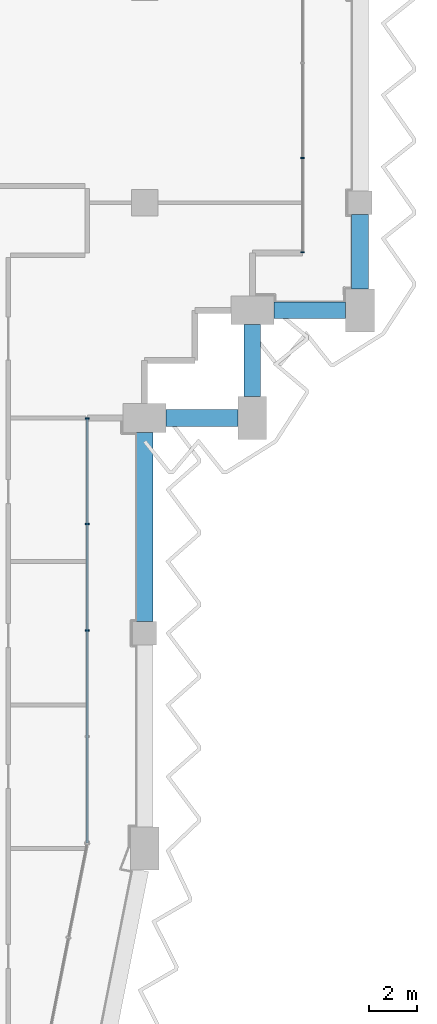
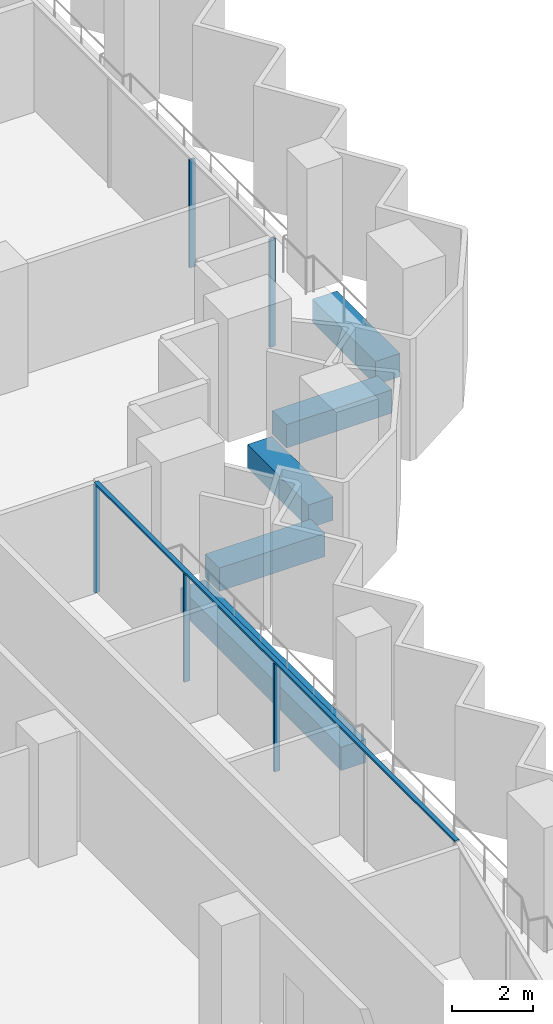
# One storey, part 4 of 17: 6 members, 5 beams, 2 elements without a shape of their own.
"""IFC4 building model written with IfcOpenShell, lengths in metres."""

import ifcopenshell
import ifcopenshell.guid

model = None  # the IFC model being written
_history = None  # IfcOwnerHistory: only IFC2X3 demands one
_inside = {}  # id of a spatial element -> (the spatial element, [elements in it])
_under = {}  # id of a project, library or spatial element -> (it, [spatial elements below it])
_declared = {}  # id of a project -> (the project, [libraries it declares])
_typed = {}  # id of a type object -> (the type object, [elements of that type])
_made_of = {}  # id of a material, layer set ... -> (it, [elements and type objects made of it])


def new_model(schema):
    """Start an empty IFC model of exactly this schema.

    Asked for "IFC4X3", IfcOpenShell would pick the latest addendum, in which some entities
    have other attributes; the version numbers below select the first issue.
    IFC2X3 requires an IfcOwnerHistory on every rooted entity: one is made here for all.
    """
    global model, _history
    if schema == "IFC4X3":
        model = ifcopenshell.file(schema_version=(4, 3, 0, 0))
    else:
        model = ifcopenshell.file(schema=schema)
    _inside.clear()
    _under.clear()
    _declared.clear()
    _typed.clear()
    _made_of.clear()
    _history = None
    if model.schema == "IFC2X3":
        org = make("IfcOrganization", Name="unknown")
        user = make(
            "IfcPersonAndOrganization",
            ThePerson=make("IfcPerson", FamilyName="unknown"),
            TheOrganization=org,
        )
        app = make(
            "IfcApplication",
            ApplicationDeveloper=org,
            Version="unknown",
            ApplicationFullName="unknown",
            ApplicationIdentifier="unknown",
        )
        _history = make(
            "IfcOwnerHistory",
            OwningUser=user,
            OwningApplication=app,
            ChangeAction="ADDED",
            CreationDate=0,
        )
    return model


def make(cls, **values):
    """One entity of the class cls with the attributes given. An attribute that is None is left unset."""
    return model.create_entity(
        cls, **{name: value for name, value in values.items() if value is not None}
    )


def rooted(cls, **values):
    """An entity with a GlobalId (a new one), such as an element, a storey or a relation."""
    return make(cls, GlobalId=ifcopenshell.guid.new(), OwnerHistory=_history, **values)


def si_unit(unit_type, name, prefix=None):
    """IfcSIUnit, for example si_unit("LENGTHUNIT", "METRE", prefix="MILLI")."""
    return make("IfcSIUnit", UnitType=unit_type, Prefix=prefix, Name=name)


def assignment(units):
    """IfcUnitAssignment: the units of a project."""
    return None if units is None else make("IfcUnitAssignment", Units=units)


def point(xyz):
    """IfcCartesianPoint."""
    return None if xyz is None else make("IfcCartesianPoint", Coordinates=xyz)


def direction(xyz):
    """IfcDirection."""
    return None if xyz is None else make("IfcDirection", DirectionRatios=xyz)


def frame(location, z_axis=None, x_axis=None):
    """IfcAxis2Placement3D, a coordinate frame: its origin and axes. An axis left out is left unset."""
    return make(
        "IfcAxis2Placement3D",
        Location=point(location),
        Axis=direction(z_axis),
        RefDirection=direction(x_axis),
    )


def frame_2d(location, x_axis=None):
    """IfcAxis2Placement2D, a coordinate frame in the plane: its origin and x axis."""
    return make(
        "IfcAxis2Placement2D", Location=point(location), RefDirection=direction(x_axis)
    )


def origin():
    """The frame at (0, 0, 0) with its axes left unset."""
    return frame((0.0, 0.0, 0.0))


def origin_2d():
    """The frame at (0, 0) in the plane with its x axis left unset."""
    return frame_2d((0.0, 0.0))


def place(relative_to, where):
    """IfcLocalPlacement: puts the frame where relative to a parent placement (None: the world)."""
    return make(
        "IfcLocalPlacement", PlacementRelTo=relative_to, RelativePlacement=where
    )


def context(
    kind, dimensions, precision=None, world=None, true_north=None, identifier=None
):
    """IfcGeometricRepresentationContext, for example the 3D "Model" context."""
    return make(
        "IfcGeometricRepresentationContext",
        ContextIdentifier=identifier,
        ContextType=kind,
        CoordinateSpaceDimension=dimensions,
        Precision=precision,
        WorldCoordinateSystem=world,
        TrueNorth=true_north,
    )


def subcontext(parent, identifier, kind, view, scale=None):
    """IfcGeometricRepresentationSubContext, for example "Body" below "Model"."""
    return make(
        "IfcGeometricRepresentationSubContext",
        ContextIdentifier=identifier,
        ContextType=kind,
        ParentContext=parent,
        TargetScale=scale,
        TargetView=view,
    )


def project(units=None, contexts=None):
    """IfcProject with its units and contexts."""
    return rooted(
        "IfcProject",
        Name="project",
        RepresentationContexts=contexts,
        UnitsInContext=assignment(units),
    )


def spatial(cls, under=None, at=None, **own):
    """A site, building, storey or space (cls), placed at a placement, below another one or the project."""
    s = rooted(cls, ObjectPlacement=at, **own)
    if under is not None:
        _under.setdefault(under.id(), (under, []))[1].append(s)
    return s


def profile(cls, at=None, kind="AREA", **sizes):
    """A parametric profile (cls). Its sizes go by their IFC names, for example OverallWidth=200.0."""
    return make(cls, ProfileType=kind, Position=at, **sizes)


def rectangle(**sizes):
    """IfcRectangleProfileDef."""
    return profile("IfcRectangleProfileDef", **sizes)


def extrude(swept, where, along, depth):
    """IfcExtrudedAreaSolid: the profile swept, set in the frame where, extruded along a direction by depth."""
    return make(
        "IfcExtrudedAreaSolid",
        SweptArea=swept,
        Position=where,
        ExtrudedDirection=direction(along),
        Depth=depth,
    )


def shape(context_of_items, identifier, shape_type, items):
    """IfcShapeRepresentation: the items that make up one representation, for example the "Body"."""
    return make(
        "IfcShapeRepresentation",
        ContextOfItems=context_of_items,
        RepresentationIdentifier=identifier,
        RepresentationType=shape_type,
        Items=items,
    )


def material(Name=None, Category=None):
    """IfcMaterial."""
    return make("IfcMaterial", Name=Name, Category=Category)


def material_profile(
    of_material, cross_section, Name=None, Category=None, Priority=None
):
    """IfcMaterialProfile: a cross section and its material."""
    return make(
        "IfcMaterialProfile",
        Name=Name,
        Material=of_material,
        Profile=cross_section,
        Priority=Priority,
        Category=Category,
    )


def profile_set(profiles, Name=None, composite=None):
    """IfcMaterialProfileSet."""
    return make(
        "IfcMaterialProfileSet",
        Name=Name,
        MaterialProfiles=profiles,
        CompositeProfile=composite,
    )


def made_of(thing, what):
    """Note that an element or type object is made of a material, layer set ...; save() writes the relation."""
    if what is not None:
        _made_of.setdefault(what.id(), (what, []))[1].append(thing)
    return thing


def type_object(cls, material=None, **own):
    """A type object (cls), such as IfcWallType, which elements share."""
    return made_of(rooted(cls, **own), material)


def element(
    cls,
    number,
    at=None,
    inside=None,
    cuts=None,
    type_object=None,
    material=None,
    context=None,
    identifier="Body",
    shape_type=None,
    held_by="IfcProductDefinitionShape",
    body=None,
    shapes=None,
    **own,
):
    """One element of the class cls, such as IfcWall. Its Tag is "e" and its number.

    at: its placement. inside: the storey or other place that contains it. cuts: it is an
    opening in that element (IfcRelVoidsElement). A single representation is given by context,
    identifier, shape_type and body (its items); several are given by shapes. held_by: the class
    of the entity that holds the representations. save() writes the other relations.
    """
    e = rooted(cls, Tag="e%d" % number, ObjectPlacement=at, **own)
    if body is not None:
        shapes = [shape(context, identifier, shape_type, body)]
    if shapes is not None:
        e.Representation = make(held_by, Representations=shapes)
    if inside is not None:
        _inside.setdefault(inside.id(), (inside, []))[1].append(e)
    if cuts is not None:
        rooted(
            "IfcRelVoidsElement", RelatingBuildingElement=cuts, RelatedOpeningElement=e
        )
    if type_object is not None:
        _typed.setdefault(type_object.id(), (type_object, []))[1].append(e)
    return made_of(e, material)


def aggregate(whole, parts):
    """IfcRelAggregates: a whole, such as a stair, and the parts it consists of."""
    return rooted("IfcRelAggregates", RelatingObject=whole, RelatedObjects=parts)


def save(model, path):
    """Write the relations noted so far, then the file.

    IfcRelAggregates (storeys below a building ...), IfcRelContainedInSpatialStructure (elements
    in a storey), IfcRelDefinesByType, IfcRelAssociatesMaterial and IfcRelDeclares: one each for
    every whole, place, type object, material and project.
    """
    for whole, parts in _under.values():
        aggregate(whole, parts)
    for where, things in _inside.values():
        rooted(
            "IfcRelContainedInSpatialStructure",
            RelatedElements=things,
            RelatingStructure=where,
        )
    for kind, things in _typed.values():
        rooted("IfcRelDefinesByType", RelatedObjects=things, RelatingType=kind)
    for what, things in _made_of.values():
        rooted("IfcRelAssociatesMaterial", RelatedObjects=things, RelatingMaterial=what)
    for by, libraries in _declared.values():
        rooted("IfcRelDeclares", RelatingContext=by, RelatedDefinitions=libraries)
    model.write(path)


model = new_model("IFC4")

# Units and contexts
model_context = context("Model", 3, precision=1e-05, world=origin(), true_north=direction((0.0, 1.0)))
body_context = subcontext(model_context, "Body", "Model", "MODEL_VIEW")
ifc_project = project(units=[si_unit("LENGTHUNIT", "METRE"), si_unit("AREAUNIT", "SQUARE_METRE"), si_unit("VOLUMEUNIT", "CUBIC_METRE"), si_unit("PLANEANGLEUNIT", "RADIAN"), si_unit("MASSUNIT", "GRAM", prefix="KILO")], contexts=[model_context])

# Site, building, storey
site_placement = place(None, origin())
site = spatial("IfcSite", under=ifc_project, at=site_placement, CompositionType="ELEMENT")
building_placement = place(site_placement, origin())
building = spatial("IfcBuilding", under=site, at=building_placement, Name="Hunhe Ridgeline Campus", CompositionType="ELEMENT")
storey_placement = place(building_placement, frame((0.0, 0.0, 197.60009765625)))
storey = spatial("IfcBuildingStorey", under=building, at=storey_placement, Name="L50", CompositionType="ELEMENT", Elevation=197.60009765625)

# Curtain wall, members
ifc_material_1 = material(Name="Aluminium 6063", Category="aluminium")
curtain_wall_type = type_object("IfcCurtainWallType", Name="Curtain wall CW-1", PredefinedType="NOTDEFINED", material=ifc_material_1)
curtain_wall_1_placement = place(storey_placement, origin())
curtain_wall_1 = element("IfcCurtainWall", 1, at=curtain_wall_1_placement, inside=storey, type_object=curtain_wall_type, Name="Curtain wall 11", PredefinedType="NOTDEFINED")
ifc_material_profile_1 = material_profile(ifc_material_1, rectangle(XDim=0.159912109375, YDim=0.06005859375, at=origin_2d()))
ifc_profile_set_1 = profile_set([ifc_material_profile_1], Name="Aluminium 6063")
member_type_1 = type_object("IfcMemberType", Name="CW-1 aluminium mullion", PredefinedType="MULLION", material=ifc_profile_set_1)
member_1_placement = place(storey_placement, frame((42.59912109375, 45.118408203125, 0.0), z_axis=(0.0, 0.0, 1.0), x_axis=(-0.999999999978, 6.642653e-06, 0.0)))
member_1 = element("IfcMember", 2, at=member_1_placement, type_object=member_type_1, Name="CW-1 mullion 3", PredefinedType="MULLION", context=body_context, shape_type="SweptSolid", body=[
    extrude(rectangle(XDim=0.159912109375, YDim=0.06005859375, at=origin_2d()), origin(), (0.0, 0.0, 1.0), 3.239990234375),
])
member_2_placement = place(storey_placement, frame((42.59912109375, 49.5595703125, 0.0), z_axis=(0.0, 0.0, 1.0), x_axis=(-0.999999999978, 6.642653e-06, 0.0)))
member_2 = element("IfcMember", 3, at=member_2_placement, type_object=member_type_1, Name="CW-1 mullion 4", PredefinedType="MULLION", context=body_context, shape_type="SweptSolid", body=[
    extrude(rectangle(XDim=0.159912109375, YDim=0.06005859375, at=origin_2d()), origin(), (0.0, 0.0, 1.0), 3.239990234375),
])
member_3_placement = place(storey_placement, frame((42.59912109375, 53.970458984375, 0.0), z_axis=(0.0, 0.0, 1.0), x_axis=(-0.999999999978, 6.642653e-06, 0.0)))
member_3 = element("IfcMember", 4, at=member_3_placement, type_object=member_type_1, Name="CW-1 mullion 5", PredefinedType="MULLION", context=body_context, shape_type="SweptSolid", body=[
    extrude(rectangle(XDim=0.159912109375, YDim=0.06005859375, at=origin_2d()), origin(), (0.0, 0.0, 1.0), 3.239990234375),
])

curtain_wall_2_placement = place(storey_placement, origin())
curtain_wall_2 = element("IfcCurtainWall", 5, at=curtain_wall_2_placement, inside=storey, type_object=curtain_wall_type, Name="Curtain wall 12", PredefinedType="NOTDEFINED")
member_4_placement = place(storey_placement, frame((51.59912109375, 60.930908203125, 0.0), z_axis=(0.0, 0.0, 1.0), x_axis=(-1.0, 0.0, 0.0)))
member_4 = element("IfcMember", 6, at=member_4_placement, type_object=member_type_1, Name="CW-1 mullion 1", PredefinedType="MULLION", context=body_context, shape_type="SweptSolid", body=[
    extrude(rectangle(XDim=0.159912109375, YDim=0.06005859375, at=origin_2d()), origin(), (0.0, 0.0, 1.0), 3.239990234375),
])
member_5_placement = place(storey_placement, frame((51.59912109375, 64.8759765625, 0.0), z_axis=(0.0, 0.0, 1.0), x_axis=(-1.0, 0.0, 0.0)))
member_5 = element("IfcMember", 7, at=member_5_placement, type_object=member_type_1, Name="CW-1 mullion 2", PredefinedType="MULLION", context=body_context, shape_type="SweptSolid", body=[
    extrude(rectangle(XDim=0.159912109375, YDim=0.06005859375, at=origin_2d()), origin(), (0.0, 0.0, 1.0), 3.239990234375),
])
aggregate(curtain_wall_2, [member_4, member_5])

# Member
ifc_material_profile_2 = material_profile(ifc_material_1, rectangle(XDim=0.1201171875, YDim=0.06005859375, at=origin_2d()))
ifc_profile_set_2 = profile_set([ifc_material_profile_2], Name="Aluminium 6063")
member_type_2 = type_object("IfcMemberType", Name="CW-1 aluminium transom", PredefinedType="USERDEFINED", material=ifc_profile_set_2)
member_6_placement = place(storey_placement, frame((42.59912109375, 36.236572265625, 3.27001953125), z_axis=(0.0, 1.0, 0.0), x_axis=(-1.0, 0.0, 0.0)))
member_6 = element("IfcMember", 8, at=member_6_placement, type_object=member_type_2, Name="CW-1 transom 1", ObjectType="TRANSOM", PredefinedType="USERDEFINED", context=body_context, shape_type="SweptSolid", body=[
    extrude(rectangle(XDim=0.1201171875, YDim=0.06005859375, at=origin_2d()), origin(), (0.0, 0.0, 1.0), 17.763916015625),
])

aggregate(curtain_wall_1, [member_6, member_1, member_2, member_3])

# Beams
ifc_material_2 = material(Name="Concrete C50", Category="concrete")
ifc_material_profile_3 = material_profile(ifc_material_2, rectangle(XDim=0.699951171875, YDim=0.699951171875, at=origin_2d()))
ifc_profile_set_3 = profile_set([ifc_material_profile_3], Name="Concrete C50")
beam_type = type_object("IfcBeamType", Name="RC spandrel beam 700x700 Concrete C50", PredefinedType="SPANDREL", material=ifc_profile_set_3)
beam_1_placement = place(storey_placement, frame((45.0, 45.5, -0.60009765625), z_axis=(0.0, 1.0, 0.0), x_axis=(-1.0, 0.0, 0.0)))
element("IfcBeam", 9, at=beam_1_placement, inside=storey, type_object=beam_type, Name="Spandrel beam B3-10 L50", PredefinedType="SPANDREL", context=body_context, shape_type="SweptSolid", body=[
    extrude(rectangle(XDim=0.699951171875, YDim=0.699951171875, at=origin_2d()), origin(), (0.0, 0.0, 1.0), 7.89990234375),
])
for number, where, z_axis, x_axis, name in (
    (10, (45.89990234375, 54.0, -0.60009765625), (1.0, 0.0, 0.0), (0.0, 1.0, 0.0), "Spandrel beam B3-11 L50"),
    (11, (49.5, 54.89990234375, -0.60009765625), (0.0, 1.0, 0.0), (-1.0, 0.0, 0.0), "Spandrel beam B3-12 L50"),
    (12, (50.39990234375, 58.5, -0.60009765625), (1.0, 0.0, 0.0), (0.0, 1.0, 0.0), "Spandrel beam B3-13 L50"),
):
    element("IfcBeam", number, at=place(storey_placement, frame(where, z_axis=z_axis, x_axis=x_axis)), inside=storey, type_object=beam_type, Name=name, PredefinedType="SPANDREL", context=body_context, shape_type="SweptSolid", body=[
        extrude(rectangle(XDim=0.699951171875, YDim=0.699951171875, at=origin_2d()), origin(), (0.0, 0.0, 1.0), 3.0),
    ])
beam_2_placement = place(storey_placement, frame((54.0, 59.39990234375, -0.60009765625), z_axis=(0.0, 1.0, 0.0), x_axis=(-1.0, 0.0, 0.0)))
element("IfcBeam", 13, at=beam_2_placement, inside=storey, type_object=beam_type, Name="Spandrel beam B3-14 L50", PredefinedType="SPANDREL", context=body_context, shape_type="SweptSolid", body=[
    extrude(rectangle(XDim=0.699951171875, YDim=0.699951171875, at=origin_2d()), origin(), (0.0, 0.0, 1.0), 3.10009765625),
])

save(model, "model.ifc")
